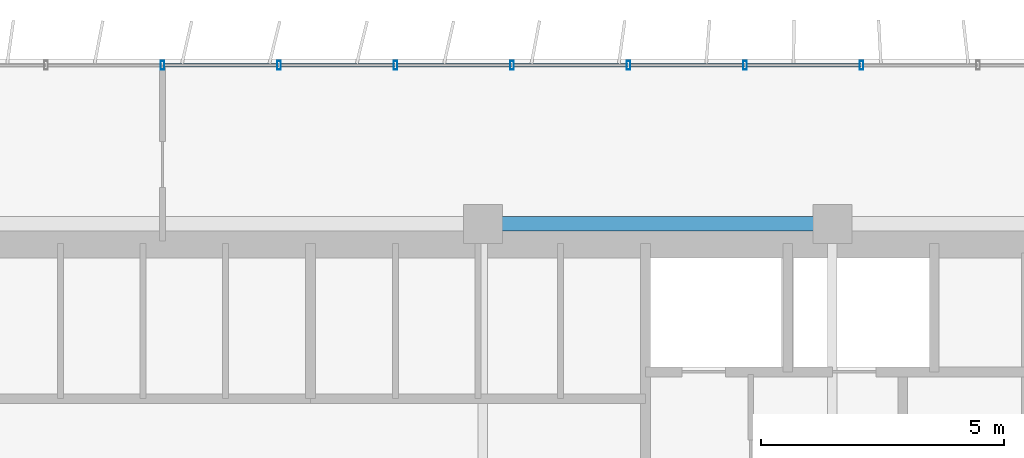
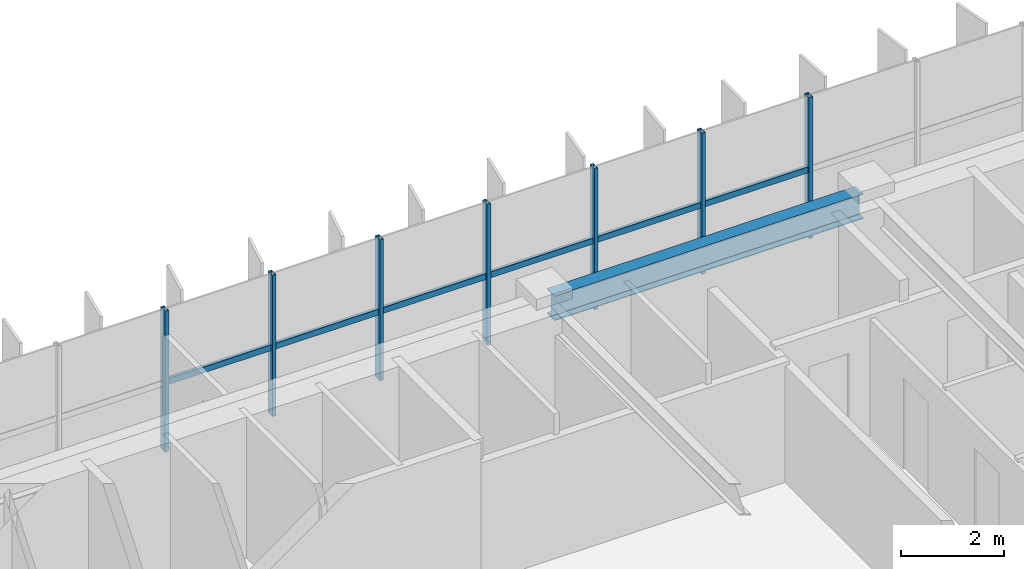
# One storey, part 9 of 22: 13 members, 1 beam, 1 element without a shape of its own.
"""IFC4 building model written with IfcOpenShell, lengths in metres."""

from ifc_helpers import new_model, si_unit, direction, frame, origin, origin_2d, place, context, subcontext, project, spatial, hollow_rectangle, i_section, extrude, source, transform, mapped, material, material_profile, profile_set, type_object, element, aggregate, save


model = new_model("IFC4")

# Units and contexts
model_context = context("Model", 3, precision=1e-05, world=origin(), true_north=direction((0.0, 1.0)))
body_context = subcontext(model_context, "Body", "Model", "MODEL_VIEW")
ifc_project = project(units=[si_unit("LENGTHUNIT", "METRE"), si_unit("AREAUNIT", "SQUARE_METRE"), si_unit("VOLUMEUNIT", "CUBIC_METRE"), si_unit("PLANEANGLEUNIT", "RADIAN"), si_unit("MASSUNIT", "GRAM", prefix="KILO")], contexts=[model_context])

# Site, building, storey
site_placement = place(None, origin())
site = spatial("IfcSite", under=ifc_project, at=site_placement, CompositionType="ELEMENT")
building_placement = place(site_placement, origin())
building = spatial("IfcBuilding", under=site, at=building_placement, Name="Trelvane Seafront Commons", CompositionType="ELEMENT")
storey_placement = place(building_placement, frame((0.0, 0.0, 96.10009765625)))
storey = spatial("IfcBuildingStorey", under=building, at=storey_placement, Name="L24", CompositionType="ELEMENT", Elevation=96.10009765625)

# Beam
ifc_material_1 = material(Name="Steel SM355 (S355)", Category="steel")
ifc_material_profile_1 = material_profile(ifc_material_1, i_section(OverallWidth=0.300048828125, OverallDepth=0.587890625, WebThickness=0.011962890625, FlangeThickness=0.02001953125, at=origin_2d()), Name="H-588x300x12x20")
ifc_profile_set_1 = profile_set([ifc_material_profile_1], Name="Steel SM355 (S355)")
beam_type = type_object("IfcBeamType", Name="STR-BM-H588", PredefinedType="BEAM", material=ifc_profile_set_1)
shared_shape_1 = source(origin(), body_context, "Body", "SweptSolid", [
    extrude(i_section(OverallWidth=0.300048828125, OverallDepth=0.587890625, WebThickness=0.011962890625, FlangeThickness=0.02001953125, at=origin_2d()), origin(), (0.0, 0.0, 1.0), 6.900146484375),
])
beam_placement = place(storey_placement, frame((43.949951171875, 45.10009765625, 3.0458984375), z_axis=(1.0, 0.0, 0.0), x_axis=(0.0, 1.0, 0.0)))
element("IfcBeam", 1, at=beam_placement, inside=storey, type_object=beam_type, Name="L24 Primary Girder G-33", PredefinedType="BEAM", context=body_context, shape_type="MappedRepresentation", body=[
    mapped(shared_shape_1, transform((0.0, 0.0, 0.0), x_axis=(1.0, 0.0, 0.0), y_axis=(0.0, 1.0, 0.0), z_axis=(0.0, 0.0, 1.0), scale=1.0)),
])

# Curtain wall, members
ifc_material_2 = material(Name="Anodised pale-silver aluminium", Category="aluminium")
curtain_wall_type = type_object("IfcCurtainWallType", Name="ARCH-CW4-SKYLOBBY", PredefinedType="NOTDEFINED", material=ifc_material_2)
curtain_wall_placement = place(storey_placement, origin())
curtain_wall = element("IfcCurtainWall", 2, at=curtain_wall_placement, inside=storey, type_object=curtain_wall_type, Name="CW-L24-0049", PredefinedType="NOTDEFINED")
ifc_material_profile_2 = material_profile(ifc_material_2, hollow_rectangle(XDim=0.074951171875, YDim=0.139892578125, WallThickness=0.00390625, at=origin_2d()), Name="TRAN-75x140x4")
ifc_profile_set_2 = profile_set([ifc_material_profile_2], Name="Anodised pale-silver aluminium")
member_type_1 = type_object("IfcMemberType", Name="ARCH-CW-TRAN-140", PredefinedType="USERDEFINED", material=ifc_profile_set_2)
shared_shape_2 = source(origin(), body_context, "Body", "SweptSolid", [
    extrude(hollow_rectangle(XDim=0.074951171875, YDim=0.139892578125, WallThickness=0.00390625, at=origin_2d()), origin(), (0.0, 0.0, 1.0), 2.3759765625),
])
member_1_placement = place(storey_placement, frame((37.2119140625, 48.3701171875, 1.602783203125), z_axis=(1.0, 0.0, 0.0), x_axis=(0.0, 1.0, 0.0)))
member_1 = element("IfcMember", 3, at=member_1_placement, type_object=member_type_1, Name="CW-L24-0049-T09", ObjectType="TRANSOM", PredefinedType="USERDEFINED", context=body_context, shape_type="MappedRepresentation", body=[
    mapped(shared_shape_2, transform((0.0, 0.0, 0.0), x_axis=(1.0, 0.0, 0.0), y_axis=(0.0, 1.0, 0.0), z_axis=(0.0, 0.0, 1.0), scale=1.0)),
])
member_2_placement = place(storey_placement, frame((39.612060546875, 48.3701171875, 1.602783203125), z_axis=(1.0, 0.0, 0.0), x_axis=(0.0, 1.0, 0.0)))
member_2 = element("IfcMember", 4, at=member_2_placement, type_object=member_type_1, Name="CW-L24-0049-T10", ObjectType="TRANSOM", PredefinedType="USERDEFINED", context=body_context, shape_type="MappedRepresentation", body=[
    mapped(shared_shape_2, transform((0.0, 0.0, 0.0), x_axis=(1.0, 0.0, 0.0), y_axis=(0.0, 1.0, 0.0), z_axis=(0.0, 0.0, 1.0), scale=1.0)),
])
member_3_placement = place(storey_placement, frame((42.011962890625, 48.3701171875, 1.602783203125), z_axis=(1.0, 0.0, 0.0), x_axis=(0.0, 1.0, 0.0)))
member_3 = element("IfcMember", 5, at=member_3_placement, type_object=member_type_1, Name="CW-L24-0049-T11", ObjectType="TRANSOM", PredefinedType="USERDEFINED", context=body_context, shape_type="MappedRepresentation", body=[
    mapped(shared_shape_2, transform((0.0, 0.0, 0.0), x_axis=(1.0, 0.0, 0.0), y_axis=(0.0, 1.0, 0.0), z_axis=(0.0, 0.0, 1.0), scale=1.0)),
])
member_4_placement = place(storey_placement, frame((44.412109375, 48.3701171875, 1.602783203125), z_axis=(1.0, 0.0, 0.0), x_axis=(0.0, 1.0, 0.0)))
member_4 = element("IfcMember", 6, at=member_4_placement, type_object=member_type_1, Name="CW-L24-0049-T12", ObjectType="TRANSOM", PredefinedType="USERDEFINED", context=body_context, shape_type="MappedRepresentation", body=[
    mapped(shared_shape_2, transform((0.0, 0.0, 0.0), x_axis=(1.0, 0.0, 0.0), y_axis=(0.0, 1.0, 0.0), z_axis=(0.0, 0.0, 1.0), scale=1.0)),
])
member_5_placement = place(storey_placement, frame((46.81201171875, 48.3701171875, 1.602783203125), z_axis=(1.0, 0.0, 0.0), x_axis=(0.0, 1.0, 0.0)))
member_5 = element("IfcMember", 7, at=member_5_placement, type_object=member_type_1, Name="CW-L24-0049-T13", ObjectType="TRANSOM", PredefinedType="USERDEFINED", context=body_context, shape_type="MappedRepresentation", body=[
    mapped(shared_shape_2, transform((0.0, 0.0, 0.0), x_axis=(1.0, 0.0, 0.0), y_axis=(0.0, 1.0, 0.0), z_axis=(0.0, 0.0, 1.0), scale=1.0)),
])
member_6_placement = place(storey_placement, frame((49.2119140625, 48.3701171875, 1.602783203125), z_axis=(1.0, 0.0, 0.0), x_axis=(0.0, 1.0, 0.0)))
member_6 = element("IfcMember", 8, at=member_6_placement, type_object=member_type_1, Name="CW-L24-0049-T14", ObjectType="TRANSOM", PredefinedType="USERDEFINED", context=body_context, shape_type="MappedRepresentation", body=[
    mapped(shared_shape_2, transform((0.0, 0.0, 0.0), x_axis=(1.0, 0.0, 0.0), y_axis=(0.0, 1.0, 0.0), z_axis=(0.0, 0.0, 1.0), scale=1.0)),
])
ifc_material_profile_3 = material_profile(ifc_material_2, hollow_rectangle(XDim=0.080078125, YDim=0.179931640625, WallThickness=0.00439453125, at=origin_2d()), Name="MULL-80x180x4.5")
ifc_profile_set_3 = profile_set([ifc_material_profile_3], Name="Anodised pale-silver aluminium")
member_type_2 = type_object("IfcMemberType", Name="ARCH-CW-MULL-180", PredefinedType="MULLION", material=ifc_profile_set_3)
shared_shape_3 = source(origin(), body_context, "Body", "SweptSolid", [
    extrude(hollow_rectangle(XDim=0.080078125, YDim=0.179931640625, WallThickness=0.00439453125, at=origin_2d()), origin(), (0.0, 0.0, 1.0), 3.33984375),
])
member_7_placement = place(storey_placement, frame((37.199951171875, 48.3701171875, 0.0), z_axis=(0.0, 0.0, 1.0), x_axis=(1.0, 0.0, 0.0)))
member_7 = element("IfcMember", 9, at=member_7_placement, type_object=member_type_2, Name="CW-L24-0049-M09", PredefinedType="MULLION", context=body_context, shape_type="MappedRepresentation", body=[
    mapped(shared_shape_3, transform((0.0, 0.0, 0.0), x_axis=(1.0, 0.0, 0.0), y_axis=(0.0, 1.0, 0.0), z_axis=(0.0, 0.0, 1.0), scale=1.0)),
])
member_8_placement = place(storey_placement, frame((39.60009765625, 48.3701171875, 0.0), z_axis=(0.0, 0.0, 1.0), x_axis=(1.0, 0.0, 0.0)))
member_8 = element("IfcMember", 10, at=member_8_placement, type_object=member_type_2, Name="CW-L24-0049-M10", PredefinedType="MULLION", context=body_context, shape_type="MappedRepresentation", body=[
    mapped(shared_shape_3, transform((0.0, 0.0, 0.0), x_axis=(1.0, 0.0, 0.0), y_axis=(0.0, 1.0, 0.0), z_axis=(0.0, 0.0, 1.0), scale=1.0)),
])
member_9_placement = place(storey_placement, frame((42.0, 48.3701171875, 0.0), z_axis=(0.0, 0.0, 1.0), x_axis=(1.0, 0.0, 0.0)))
member_9 = element("IfcMember", 11, at=member_9_placement, type_object=member_type_2, Name="CW-L24-0049-M11", PredefinedType="MULLION", context=body_context, shape_type="MappedRepresentation", body=[
    mapped(shared_shape_3, transform((0.0, 0.0, 0.0), x_axis=(1.0, 0.0, 0.0), y_axis=(0.0, 1.0, 0.0), z_axis=(0.0, 0.0, 1.0), scale=1.0)),
])
member_10_placement = place(storey_placement, frame((44.39990234375, 48.3701171875, 0.0), z_axis=(0.0, 0.0, 1.0), x_axis=(1.0, 0.0, 0.0)))
member_10 = element("IfcMember", 12, at=member_10_placement, type_object=member_type_2, Name="CW-L24-0049-M12", PredefinedType="MULLION", context=body_context, shape_type="MappedRepresentation", body=[
    mapped(shared_shape_3, transform((0.0, 0.0, 0.0), x_axis=(1.0, 0.0, 0.0), y_axis=(0.0, 1.0, 0.0), z_axis=(0.0, 0.0, 1.0), scale=1.0)),
])
member_11_placement = place(storey_placement, frame((46.800048828125, 48.3701171875, 0.0), z_axis=(0.0, 0.0, 1.0), x_axis=(1.0, 0.0, 0.0)))
member_11 = element("IfcMember", 13, at=member_11_placement, type_object=member_type_2, Name="CW-L24-0049-M13", PredefinedType="MULLION", context=body_context, shape_type="MappedRepresentation", body=[
    mapped(shared_shape_3, transform((0.0, 0.0, 0.0), x_axis=(1.0, 0.0, 0.0), y_axis=(0.0, 1.0, 0.0), z_axis=(0.0, 0.0, 1.0), scale=1.0)),
])
member_12_placement = place(storey_placement, frame((49.199951171875, 48.3701171875, 0.0), z_axis=(0.0, 0.0, 1.0), x_axis=(1.0, 0.0, 0.0)))
member_12 = element("IfcMember", 14, at=member_12_placement, type_object=member_type_2, Name="CW-L24-0049-M14", PredefinedType="MULLION", context=body_context, shape_type="MappedRepresentation", body=[
    mapped(shared_shape_3, transform((0.0, 0.0, 0.0), x_axis=(1.0, 0.0, 0.0), y_axis=(0.0, 1.0, 0.0), z_axis=(0.0, 0.0, 1.0), scale=1.0)),
])
member_13_placement = place(storey_placement, frame((51.60009765625, 48.3701171875, 0.0), z_axis=(0.0, 0.0, 1.0), x_axis=(1.0, 0.0, 0.0)))
member_13 = element("IfcMember", 15, at=member_13_placement, type_object=member_type_2, Name="CW-L24-0049-M15", PredefinedType="MULLION", context=body_context, shape_type="MappedRepresentation", body=[
    mapped(shared_shape_3, transform((0.0, 0.0, 0.0), x_axis=(1.0, 0.0, 0.0), y_axis=(0.0, 1.0, 0.0), z_axis=(0.0, 0.0, 1.0), scale=1.0)),
])
aggregate(curtain_wall, [member_7, member_8, member_9, member_10, member_11, member_12, member_13, member_1, member_2, member_3, member_4, member_5, member_6])

save(model, "model.ifc")
